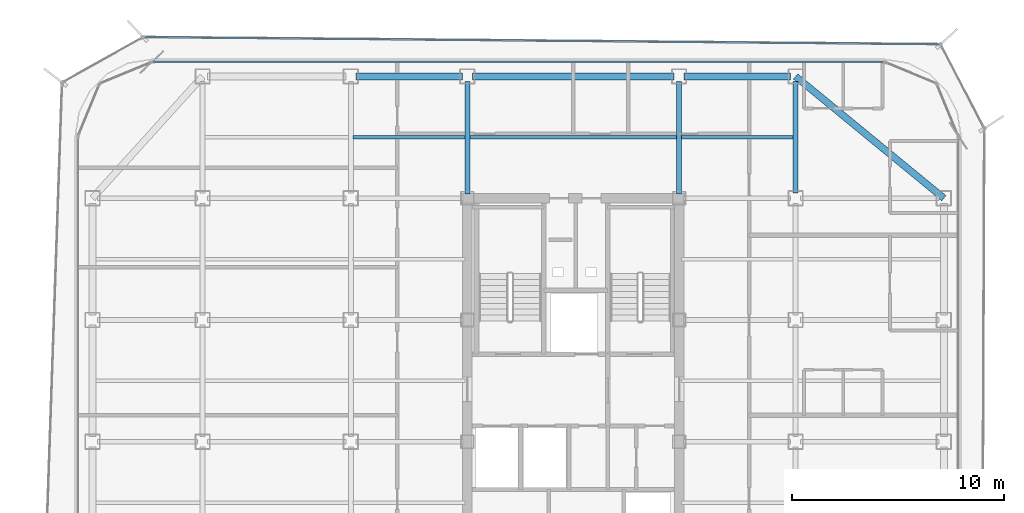
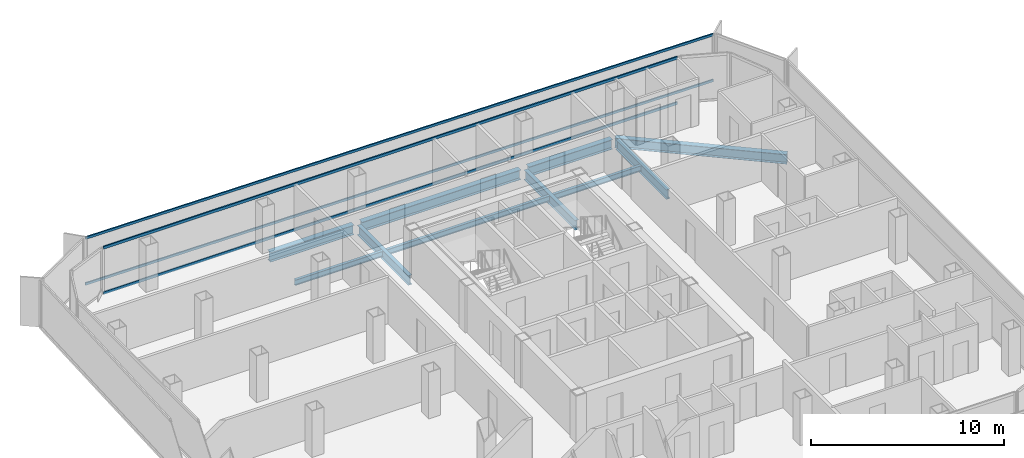
# One storey, part 7 of 15: 10 beams, 4 members, 2 elements without a shape of their own.
"""IFC4 building model written with IfcOpenShell, lengths in metres."""

from ifc_helpers import new_model, si_unit, direction, frame, origin, origin_2d, place, context, subcontext, project, spatial, hollow_rectangle, i_section, extrude, source, transform, mapped, material, layer, layer_set, material_profile, profile_set, type_object, element, aggregate, save


model = new_model("IFC4")

# Units and contexts
model_context = context("Model", 3, precision=1e-05, world=origin(), true_north=direction((0.0, 1.0)))
body_context = subcontext(model_context, "Body", "Model", "MODEL_VIEW")
ifc_project = project(units=[si_unit("LENGTHUNIT", "METRE"), si_unit("AREAUNIT", "SQUARE_METRE"), si_unit("VOLUMEUNIT", "CUBIC_METRE"), si_unit("PLANEANGLEUNIT", "RADIAN"), si_unit("MASSUNIT", "GRAM", prefix="KILO")], contexts=[model_context])

# Site, building, storey
site_placement = place(None, origin())
site = spatial("IfcSite", under=ifc_project, at=site_placement, CompositionType="ELEMENT")
building_placement = place(site_placement, origin())
building = spatial("IfcBuilding", under=site, at=building_placement, Name="Kolveth Station Tower", CompositionType="ELEMENT")
storey_placement = place(building_placement, frame((0.0, 0.0, 165.699951171875)))
storey = spatial("IfcBuildingStorey", under=building, at=storey_placement, Name="L46", CompositionType="ELEMENT", Elevation=165.699951171875)

# Beams
ifc_material_1 = material(Name="Steel S355", Category="steel")
ifc_material_profile_1 = material_profile(ifc_material_1, i_section(OverallWidth=0.323974609375, OverallDepth=0.611083984375, WebThickness=0.0126953125, FlangeThickness=0.01904296875, at=origin_2d()), Name="W610x155")
ifc_profile_set_1 = profile_set([ifc_material_profile_1], Name="Steel S355")
beam_type_1 = type_object("IfcBeamType", Name="Beam_SP2", PredefinedType="SPANDREL", material=ifc_profile_set_1)
shared_shape_1 = source(origin(), body_context, "Body", "SweptSolid", [
    extrude(i_section(OverallWidth=0.323974609375, OverallDepth=0.611083984375, WebThickness=0.0126953125, FlangeThickness=0.01904296875, at=origin_2d()), origin(), (0.0, 0.0, 1.0), 5.02001953125),
])
for number, where, z_axis, x_axis, name in (
    (1, (13.239990234375, 34.5, -0.555419921875), (1.0, 0.0, 0.0), (0.0, 1.0, 0.0), "L46 Perimeter Spandrel BM-L46-PN-2"),
    (2, (28.739990234375, 34.5, -0.555419921875), (1.0, 0.0, 0.0), (0.0, 1.0, 0.0), "L46 Perimeter Spandrel BM-L46-PN-4"),
):
    element("IfcBeam", number, at=place(storey_placement, frame(where, z_axis=z_axis, x_axis=x_axis)), inside=storey, type_object=beam_type_1, Name=name, PredefinedType="SPANDREL", context=body_context, shape_type="MappedRepresentation", body=[
        mapped(shared_shape_1, transform((0.0, 0.0, 0.0), x_axis=(1.0, 0.0, 0.0), y_axis=(0.0, 1.0, 0.0), z_axis=(0.0, 0.0, 1.0), scale=1.0)),
    ])
shared_shape_2 = source(origin(), body_context, "Body", "SweptSolid", [
    extrude(i_section(OverallWidth=0.323974609375, OverallDepth=0.611083984375, WebThickness=0.0126953125, FlangeThickness=0.01904296875, at=origin_2d()), origin(), (0.0, 0.0, 1.0), 9.52001953125),
])
beam_1_placement = place(storey_placement, frame((18.739990234375, 34.5, -0.555419921875), z_axis=(1.0, 0.0, 0.0), x_axis=(0.0, 1.0, 0.0)))
element("IfcBeam", 3, at=beam_1_placement, inside=storey, type_object=beam_type_1, Name="L46 Perimeter Spandrel BM-L46-PN-3", PredefinedType="SPANDREL", context=body_context, shape_type="MappedRepresentation", body=[
    mapped(shared_shape_2, transform((0.0, 0.0, 0.0), x_axis=(1.0, 0.0, 0.0), y_axis=(0.0, 1.0, 0.0), z_axis=(0.0, 0.0, 1.0), scale=1.0)),
])
shared_shape_3 = source(origin(), body_context, "Body", "SweptSolid", [
    extrude(i_section(OverallWidth=0.323974609375, OverallDepth=0.611083984375, WebThickness=0.0126953125, FlangeThickness=0.01904296875, at=origin_2d()), origin(), (0.0, 0.0, 1.0), 9.058837890625),
])
beam_2_placement = place(storey_placement, frame((41.0, 28.75, -0.555419921875), z_axis=(-0.772726254525, 0.63473942336, 0.0), x_axis=(-0.63473942336, -0.772726254525, 0.0)))
element("IfcBeam", 4, at=beam_2_placement, inside=storey, type_object=beam_type_1, Name="L46 Corner Edge Girder BM-L46-CNR-NE", PredefinedType="SPANDREL", context=body_context, shape_type="MappedRepresentation", body=[
    mapped(shared_shape_3, transform((0.0, 0.0, 0.0), x_axis=(1.0, 0.0, 0.0), y_axis=(0.0, 1.0, 0.0), z_axis=(0.0, 0.0, 1.0), scale=1.0)),
])
ifc_material_profile_2 = material_profile(ifc_material_1, i_section(OverallWidth=0.22900390625, OverallDepth=0.612060546875, WebThickness=0.011962890625, FlangeThickness=0.01953125, at=origin_2d()), Name="W610x125")
ifc_profile_set_2 = profile_set([ifc_material_profile_2], Name="Steel S355")
beam_type_2 = type_object("IfcBeamType", Name="Beam_B5", PredefinedType="BEAM", material=ifc_profile_set_2)
shared_shape_4 = source(origin(), body_context, "Body", "SweptSolid", [
    extrude(i_section(OverallWidth=0.22900390625, OverallDepth=0.612060546875, WebThickness=0.011962890625, FlangeThickness=0.01953125, at=origin_2d()), origin(), (0.0, 0.0, 1.0), 5.27001953125),
])
beam_3_placement = place(storey_placement, frame((34.0, 28.989990234375, -0.555908203125), z_axis=(0.0, 1.0, 0.0), x_axis=(-1.0, 0.0, 0.0)))
element("IfcBeam", 5, at=beam_3_placement, inside=storey, type_object=beam_type_2, Name="L46 Primary Girder BM-L46-GX340-6", PredefinedType="BEAM", context=body_context, shape_type="MappedRepresentation", body=[
    mapped(shared_shape_4, transform((0.0, 0.0, 0.0), x_axis=(1.0, 0.0, 0.0), y_axis=(0.0, 1.0, 0.0), z_axis=(0.0, 0.0, 1.0), scale=1.0)),
])
shared_shape_5 = source(origin(), body_context, "Body", "SweptSolid", [
    extrude(i_section(OverallWidth=0.22900390625, OverallDepth=0.612060546875, WebThickness=0.011962890625, FlangeThickness=0.01953125, at=origin_2d()), origin(), (0.0, 0.0, 1.0), 5.31005859375),
])
for number, where, z_axis, x_axis, name in (
    (6, (18.5, 28.949951171875, -0.555908203125), (0.0, 1.0, 0.0), (-1.0, 0.0, 0.0), "L46 Primary Girder BM-L46-GX185-6"),
    (7, (28.5, 28.949951171875, -0.555908203125), (0.0, 1.0, 0.0), (-1.0, 0.0, 0.0), "L46 Primary Girder BM-L46-GX285-6"),
):
    element("IfcBeam", number, at=place(storey_placement, frame(where, z_axis=z_axis, x_axis=x_axis)), inside=storey, type_object=beam_type_2, Name=name, PredefinedType="BEAM", context=body_context, shape_type="MappedRepresentation", body=[
        mapped(shared_shape_5, transform((0.0, 0.0, 0.0), x_axis=(1.0, 0.0, 0.0), y_axis=(0.0, 1.0, 0.0), z_axis=(0.0, 0.0, 1.0), scale=1.0)),
    ])
ifc_material_profile_3 = material_profile(ifc_material_1, i_section(OverallWidth=0.1708984375, OverallDepth=0.35205078125, WebThickness=0.0068359375, FlangeThickness=0.009765625, at=origin_2d()), Name="W360x44")
ifc_profile_set_3 = profile_set([ifc_material_profile_3], Name="Steel S355")
beam_type_3 = type_object("IfcBeamType", Name="Beam_J2", PredefinedType="JOIST", material=ifc_profile_set_3)
shared_shape_6 = source(origin(), body_context, "Body", "SweptSolid", [
    extrude(i_section(OverallWidth=0.1708984375, OverallDepth=0.35205078125, WebThickness=0.0068359375, FlangeThickness=0.009765625, at=origin_2d()), origin(), (0.0, 0.0, 1.0), 5.27490234375),
])
for number, where, z_axis, x_axis, name in (
    (8, (13.112548828125, 31.625, -0.426025390625), (1.0, 0.0, 0.0), (0.0, 1.0, 0.0), "L46 Secondary Joist JST-L46-3-6"),
    (9, (28.612548828125, 31.625, -0.426025390625), (1.0, 0.0, 0.0), (0.0, 1.0, 0.0), "L46 Secondary Joist JST-L46-5-6"),
):
    element("IfcBeam", number, at=place(storey_placement, frame(where, z_axis=z_axis, x_axis=x_axis)), inside=storey, type_object=beam_type_3, Name=name, PredefinedType="JOIST", context=body_context, shape_type="MappedRepresentation", body=[
        mapped(shared_shape_6, transform((0.0, 0.0, 0.0), x_axis=(1.0, 0.0, 0.0), y_axis=(0.0, 1.0, 0.0), z_axis=(0.0, 0.0, 1.0), scale=1.0)),
    ])
shared_shape_7 = source(origin(), body_context, "Body", "SweptSolid", [
    extrude(i_section(OverallWidth=0.1708984375, OverallDepth=0.35205078125, WebThickness=0.0068359375, FlangeThickness=0.009765625, at=origin_2d()), origin(), (0.0, 0.0, 1.0), 9.77490234375),
])
beam_4_placement = place(storey_placement, frame((18.612548828125, 31.625, -0.426025390625), z_axis=(1.0, 0.0, 0.0), x_axis=(0.0, 1.0, 0.0)))
element("IfcBeam", 10, at=beam_4_placement, inside=storey, type_object=beam_type_3, Name="L46 Secondary Joist JST-L46-4-6", PredefinedType="JOIST", context=body_context, shape_type="MappedRepresentation", body=[
    mapped(shared_shape_7, transform((0.0, 0.0, 0.0), x_axis=(1.0, 0.0, 0.0), y_axis=(0.0, 1.0, 0.0), z_axis=(0.0, 0.0, 1.0), scale=1.0)),
])

# Curtain wall, members
ifc_material_2 = material(Name="Aluminium 6063-T6 and low-E dark glass", Category="aluminium")
ifc_layer_1 = layer(ifc_material_2, 0.18994140625)
ifc_layer_set_1 = layer_set([ifc_layer_1], Name="Aluminium 6063-T6 and low-E dark glass")
curtain_wall_type_1 = type_object("IfcCurtainWallType", Name="CurtainWall_CW-Z2", PredefinedType="NOTDEFINED", material=ifc_layer_set_1)
curtain_wall_1_placement = place(storey_placement, origin())
curtain_wall_1 = element("IfcCurtainWall", 11, at=curtain_wall_1_placement, inside=storey, type_object=curtain_wall_type_1, Name="L46 Inner Thermal Curtain Wall 6", PredefinedType="NOTDEFINED")
ifc_material_3 = material(Name="Black anodized aluminium 6063-T6", Category="aluminium")
ifc_material_profile_4 = material_profile(ifc_material_3, hollow_rectangle(XDim=0.080078125, YDim=0.169921875, WallThickness=0.0048828125, at=origin_2d()), Name="ALU-80x170x5")
ifc_profile_set_4 = profile_set([ifc_material_profile_4], Name="Black anodized aluminium 6063-T6")
member_type_1 = type_object("IfcMemberType", Name="Transom_TR2", PredefinedType="USERDEFINED", material=ifc_profile_set_4)
shared_shape_8 = source(origin(), body_context, "Body", "SweptSolid", [
    extrude(hollow_rectangle(XDim=0.080078125, YDim=0.169921875, WallThickness=0.0048828125, at=origin_2d()), origin(), (0.0, 0.0, 1.0), 34.440185546875),
])
member_1_placement = place(storey_placement, frame((38.1201171875, 35.179931640625, 0.0400390625), z_axis=(-1.0, 0.0, 0.0), x_axis=(0.0, -1.0, 0.0)))
member_1 = element("IfcMember", 12, at=member_1_placement, type_object=member_type_1, Name="CW-Z2 transom 1.1", ObjectType="TRANSOM", PredefinedType="USERDEFINED", context=body_context, shape_type="MappedRepresentation", body=[
    mapped(shared_shape_8, transform((0.0, 0.0, 0.0), x_axis=(1.0, 0.0, 0.0), y_axis=(0.0, 1.0, 0.0), z_axis=(0.0, 0.0, 1.0), scale=1.0)),
])
member_2_placement = place(storey_placement, frame((38.1201171875, 35.179931640625, 2.91015625), z_axis=(-1.0, 0.0, 0.0), x_axis=(0.0, -1.0, 0.0)))
member_2 = element("IfcMember", 13, at=member_2_placement, type_object=member_type_1, Name="CW-Z2 transom 1.2", ObjectType="TRANSOM", PredefinedType="USERDEFINED", context=body_context, shape_type="MappedRepresentation", body=[
    mapped(shared_shape_8, transform((0.0, 0.0, 0.0), x_axis=(1.0, 0.0, 0.0), y_axis=(0.0, 1.0, 0.0), z_axis=(0.0, 0.0, 1.0), scale=1.0)),
])
aggregate(curtain_wall_1, [member_1, member_2])

ifc_material_4 = material(Name="Black anodized aluminium 6063-T6 and dark solar glass", Category="aluminium")
ifc_layer_2 = layer(ifc_material_4, 0.159912109375)
ifc_layer_set_2 = layer_set([ifc_layer_2], Name="Black anodized aluminium 6063-T6 and dark solar glass")
curtain_wall_type_2 = type_object("IfcCurtainWallType", Name="OUTER SKIN CW-OS", PredefinedType="NOTDEFINED", material=ifc_layer_set_2)
curtain_wall_2_placement = place(storey_placement, origin())
curtain_wall_2 = element("IfcCurtainWall", 14, at=curtain_wall_2_placement, inside=storey, type_object=curtain_wall_type_2, Name="L46 Outer Ventilated Skin Curtain Wall 4", PredefinedType="NOTDEFINED")
ifc_material_profile_5 = material_profile(ifc_material_3, hollow_rectangle(XDim=0.080078125, YDim=0.14990234375, WallThickness=0.0048828125, at=origin_2d()), Name="ALU-80x150x5")
ifc_profile_set_5 = profile_set([ifc_material_profile_5], Name="Black anodized aluminium 6063-T6")
member_type_2 = type_object("IfcMemberType", Name="Transom_TR-OS", PredefinedType="USERDEFINED", material=ifc_profile_set_5)
shared_shape_9 = source(origin(), body_context, "Body", "SweptSolid", [
    extrude(hollow_rectangle(XDim=0.080078125, YDim=0.14990234375, WallThickness=0.0048828125, at=origin_2d()), origin(), (0.0, 0.0, 1.0), 37.47412109375),
])
member_3_placement = place(storey_placement, frame((40.757568359375, 36.017822265625, 0.0400390625), z_axis=(-0.999959817973, 0.008964509991, 0.0), x_axis=(-0.008964509991, -0.999959817973, 0.0)))
member_3 = element("IfcMember", 15, at=member_3_placement, type_object=member_type_2, Name="CW-OS transom 1.1", ObjectType="TRANSOM", PredefinedType="USERDEFINED", context=body_context, shape_type="MappedRepresentation", body=[
    mapped(shared_shape_9, transform((0.0, 0.0, 0.0), x_axis=(1.0, 0.0, 0.0), y_axis=(0.0, 1.0, 0.0), z_axis=(0.0, 0.0, 1.0), scale=1.0)),
])
member_4_placement = place(storey_placement, frame((40.757568359375, 36.017822265625, 2.949951171875), z_axis=(-0.999959817973, 0.008964509991, 0.0), x_axis=(-0.008964509991, -0.999959817973, 0.0)))
member_4 = element("IfcMember", 16, at=member_4_placement, type_object=member_type_2, Name="CW-OS transom 1.2", ObjectType="TRANSOM", PredefinedType="USERDEFINED", context=body_context, shape_type="MappedRepresentation", body=[
    mapped(shared_shape_9, transform((0.0, 0.0, 0.0), x_axis=(1.0, 0.0, 0.0), y_axis=(0.0, 1.0, 0.0), z_axis=(0.0, 0.0, 1.0), scale=1.0)),
])
aggregate(curtain_wall_2, [member_3, member_4])

save(model, "model.ifc")
